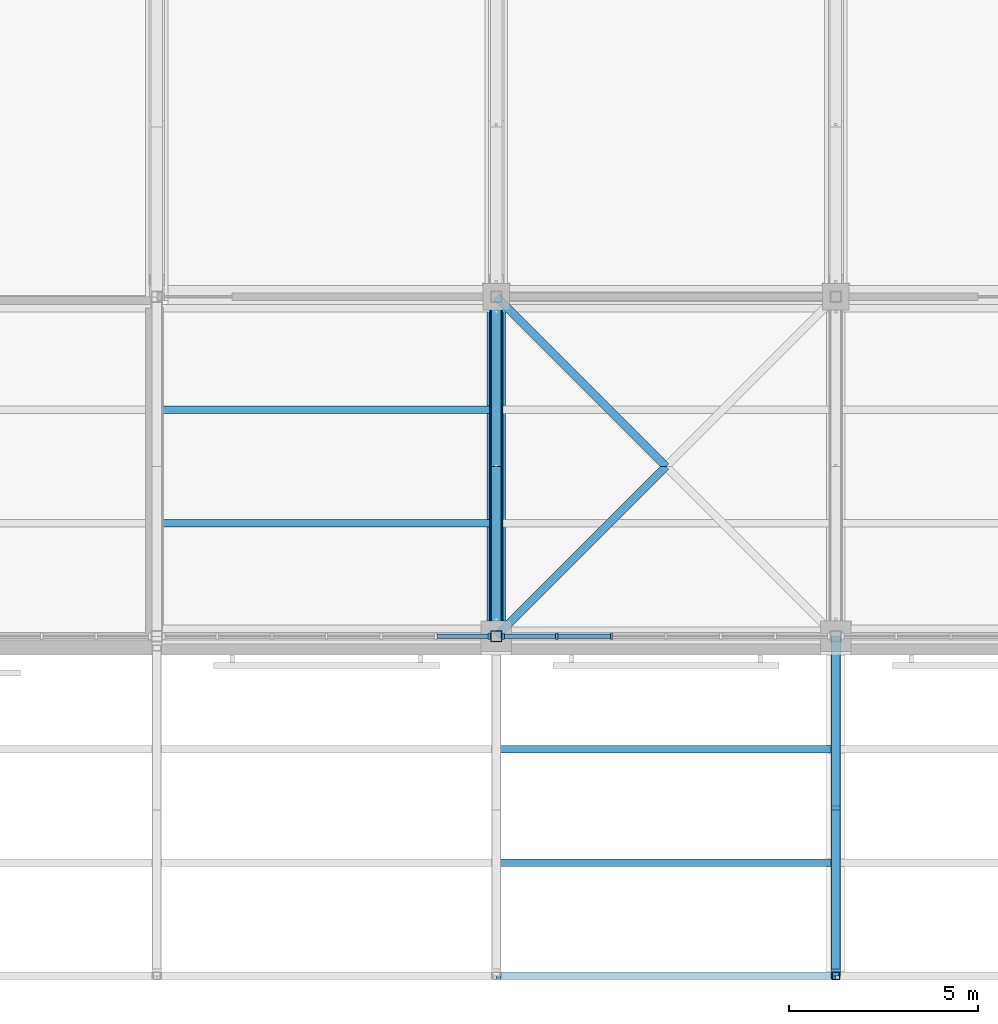
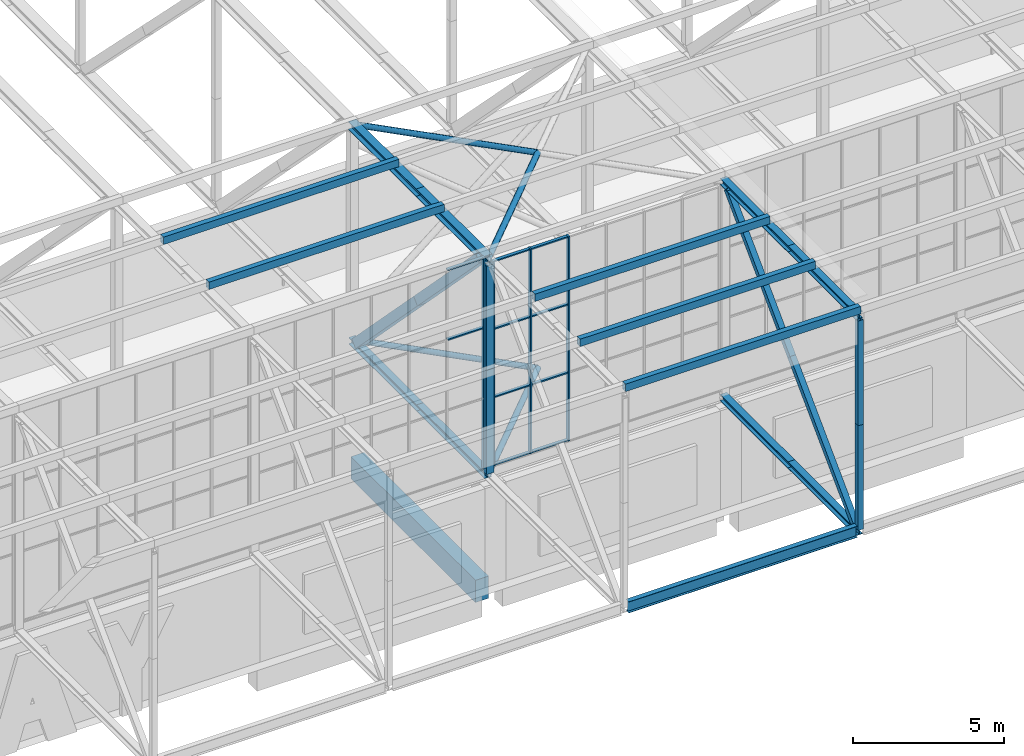
# One storey, part 33 of 646: 39 members, 2 beams, 2 elements without a shape of their own.
"""IFC4 building model written with IfcOpenShell, lengths in metres."""

from ifc_helpers import new_model, si_unit, direction, frame, origin, origin_2d, place, context, subcontext, project, spatial, rectangle, hollow_rectangle, hollow_circle, i_section, extrude, material, material_profile, profile_set, type_object, element, aggregate, save


model = new_model("IFC4")

# Units and contexts
model_context = context("Model", 3, precision=1e-05, world=origin(), true_north=direction((0.0, 1.0)))
body_context = subcontext(model_context, "Body", "Model", "MODEL_VIEW")
ifc_project = project(units=[si_unit("LENGTHUNIT", "METRE"), si_unit("AREAUNIT", "SQUARE_METRE"), si_unit("VOLUMEUNIT", "CUBIC_METRE"), si_unit("PLANEANGLEUNIT", "RADIAN"), si_unit("MASSUNIT", "GRAM", prefix="KILO")], contexts=[model_context])

# Site, building, storey
site_placement = place(None, origin())
site = spatial("IfcSite", under=ifc_project, at=site_placement, CompositionType="ELEMENT")
building_placement = place(site_placement, origin())
building = spatial("IfcBuilding", under=site, at=building_placement, Name="Silverbay Arena", CompositionType="ELEMENT")
storey_placement = place(building_placement, frame((0.0, 0.0, 33.5)))
storey = spatial("IfcBuildingStorey", under=building, at=storey_placement, Name="L05", CompositionType="ELEMENT", Elevation=33.5)

# Members
ifc_material_1 = material(Name="Steel S355", Category="steel")
ifc_material_profile_1 = material_profile(ifc_material_1, i_section(OverallWidth=0.2587890625, OverallDepth=0.2666015625, WebThickness=0.0126953125, FlangeThickness=0.0205078125, at=origin_2d()), Name="UC 254x254x107")
ifc_profile_set_1 = profile_set([ifc_material_profile_1], Name="Steel S355")
member_type_1 = type_object("IfcMemberType", Name="Main-span bottom chord UC 254x254x107", PredefinedType="CHORD", material=ifc_profile_set_1)
for number, where, z_axis, x_axis, name in (
    (1, (126.0, 18.0, 4.13330078125), (0.0, 1.0, 0.0), (-1.0, 0.0, 0.0), "ROOF TRUSS 15 bottom chord 02a"),
    (2, (126.0, 22.5, 4.13330078125), (0.0, 1.0, 0.0), (-1.0, 0.0, 0.0), "ROOF TRUSS 15 bottom chord 02b"),
    (3, (135.0, 9.0, 4.13330078125), (0.0, 1.0, 0.0), (-1.0, 0.0, 0.0), "ROOF TRUSS 16 bottom chord 01a"),
    (4, (135.0, 13.5, 4.13330078125), (0.0, 1.0, 0.0), (-1.0, 0.0, 0.0), "ROOF TRUSS 16 bottom chord 01b"),
):
    element("IfcMember", number, at=place(storey_placement, frame(where, z_axis=z_axis, x_axis=x_axis)), inside=storey, type_object=member_type_1, Name=name, PredefinedType="CHORD", context=body_context, shape_type="SweptSolid", body=[
        extrude(i_section(OverallWidth=0.2587890625, OverallDepth=0.2666015625, WebThickness=0.0126953125, FlangeThickness=0.0205078125, at=origin_2d()), origin(), (0.0, 0.0, 1.0), 4.5),
    ])
ifc_material_2 = material(Name="Steel S355", Category="steel")
ifc_material_profile_2 = material_profile(ifc_material_2, i_section(OverallWidth=0.2587890625, OverallDepth=0.2666015625, WebThickness=0.0126953125, FlangeThickness=0.0205078125, at=origin_2d()), Name="UC 254x254x107")
ifc_profile_set_2 = profile_set([ifc_material_profile_2], Name="Steel S355")
member_type_2 = type_object("IfcMemberType", Name="Main-span top chord UC 254x254x107", PredefinedType="CHORD", material=ifc_profile_set_2)
for number, where, z_axis, x_axis, name in (
    (5, (135.0, 9.0, 12.86669921875), (0.0, 1.0, 0.0), (-1.0, 0.0, 0.0), "ROOF TRUSS 16 top chord 01a"),
    (6, (135.0, 13.5, 12.86669921875), (0.0, 1.0, 0.0), (-1.0, 0.0, 0.0), "ROOF TRUSS 16 top chord 01b"),
):
    element("IfcMember", number, at=place(storey_placement, frame(where, z_axis=z_axis, x_axis=x_axis)), inside=storey, type_object=member_type_2, Name=name, PredefinedType="CHORD", context=body_context, shape_type="SweptSolid", body=[
        extrude(i_section(OverallWidth=0.2587890625, OverallDepth=0.2666015625, WebThickness=0.0126953125, FlangeThickness=0.0205078125, at=origin_2d()), origin(), (0.0, 0.0, 1.0), 4.5),
    ])
ifc_material_3 = material(Name="Steel S355", Category="steel")
ifc_material_profile_3 = material_profile(ifc_material_3, i_section(OverallWidth=0.307373046875, OverallDepth=0.314453125, WebThickness=0.011962890625, FlangeThickness=0.018798828125, at=origin_2d()), Name="UC 305x305x118")
ifc_profile_set_3 = profile_set([ifc_material_profile_3], Name="Steel S355")
member_type_3 = type_object("IfcMemberType", Name="Main-span top chord UC 305x305x118", PredefinedType="CHORD", material=ifc_profile_set_3)
for number, where, z_axis, x_axis, name in (
    (7, (126.0, 18.0, 12.8427734375), (0.0, 1.0, 0.0), (-1.0, 0.0, 0.0), "ROOF TRUSS 15 top chord 02a"),
    (8, (126.0, 22.5, 12.8427734375), (0.0, 1.0, 0.0), (-1.0, 0.0, 0.0), "ROOF TRUSS 15 top chord 02b"),
):
    element("IfcMember", number, at=place(storey_placement, frame(where, z_axis=z_axis, x_axis=x_axis)), inside=storey, type_object=member_type_3, Name=name, PredefinedType="CHORD", context=body_context, shape_type="SweptSolid", body=[
        extrude(i_section(OverallWidth=0.307373046875, OverallDepth=0.314453125, WebThickness=0.011962890625, FlangeThickness=0.018798828125, at=origin_2d()), origin(), (0.0, 0.0, 1.0), 4.5),
    ])
ifc_material_4 = material(Name="Steel S355", Category="steel")
ifc_material_profile_4 = material_profile(ifc_material_4, hollow_rectangle(XDim=0.219970703125, YDim=0.219970703125, WallThickness=0.008056640625, at=origin_2d()), Name="SHS 220x220x8")
ifc_profile_set_4 = profile_set([ifc_material_profile_4], Name="Steel S355")
member_type_4 = type_object("IfcMemberType", Name="Main-span truss diagonal SHS 220x220x8", PredefinedType="BRACE", material=ifc_profile_set_4)
member_1_placement = place(storey_placement, frame((135.0, 17.689453125, 12.7333984375), z_axis=(0.0, -0.70551102507, -0.708698944196), x_axis=(1.0, 0.0, 0.0)))
element("IfcMember", 9, at=member_1_placement, inside=storey, type_object=member_type_4, Name="ROOF TRUSS 16 diagonal 01a", PredefinedType="BRACE", context=body_context, shape_type="SweptSolid", body=[
    extrude(hollow_rectangle(XDim=0.219970703125, YDim=0.219970703125, WallThickness=0.008056640625, at=origin_2d()), origin(), (0.0, 0.0, 1.0), 5.973388671875),
])
member_2_placement = place(storey_placement, frame((135.0, 13.47509765625, 8.5), z_axis=(0.0, -0.705531551692, -0.708678509317), x_axis=(1.0, 0.0, 0.0)))
element("IfcMember", 10, at=member_2_placement, inside=storey, type_object=member_type_4, Name="ROOF TRUSS 16 diagonal 01b", PredefinedType="BRACE", context=body_context, shape_type="SweptSolid", body=[
    extrude(hollow_rectangle(XDim=0.219970703125, YDim=0.219970703125, WallThickness=0.008056640625, at=origin_2d()), origin(), (0.0, 0.0, 1.0), 5.9736328125),
])
ifc_material_5 = material(Name="Steel S355", Category="steel")
ifc_material_profile_5 = material_profile(ifc_material_5, hollow_rectangle(XDim=0.35009765625, YDim=0.35009765625, WallThickness=0.01611328125, at=origin_2d()), Name="SHS 350x350x16")
ifc_profile_set_5 = profile_set([ifc_material_profile_5], Name="Steel S355")
member_type_5 = type_object("IfcMemberType", Name="Main-span truss diagonal SHS 350x350x16", PredefinedType="BRACE", material=ifc_profile_set_5)
for number, where, z_axis, x_axis, name in (
    (11, (126.0, 18.40625, 12.685546875), (0.0, 0.697184071327, -0.716892161129), (-1.0, 0.0, 0.0), "ROOF TRUSS 15 diagonal 02a"),
    (12, (126.0, 22.5, 8.47607421875), (0.0, 0.697184071327, -0.716892161129), (-1.0, 0.0, 0.0), "ROOF TRUSS 15 diagonal 02b"),
):
    element("IfcMember", number, at=place(storey_placement, frame(where, z_axis=z_axis, x_axis=x_axis)), inside=storey, type_object=member_type_5, Name=name, PredefinedType="BRACE", context=body_context, shape_type="SweptSolid", body=[
        extrude(hollow_rectangle(XDim=0.35009765625, YDim=0.35009765625, WallThickness=0.01611328125, at=origin_2d()), origin(), (0.0, 0.0, 1.0), 5.871826171875),
    ])
ifc_material_6 = material(Name="Steel S355", Category="steel")
ifc_material_profile_6 = material_profile(ifc_material_6, hollow_rectangle(XDim=0.199951171875, YDim=0.199951171875, WallThickness=0.008056640625, at=origin_2d()), Name="SHS 200x200x8")
ifc_profile_set_6 = profile_set([ifc_material_profile_6], Name="Steel S355")
member_type_6 = type_object("IfcMemberType", Name="Main-span truss vertical SHS 200x200x8", PredefinedType="STRUT", material=ifc_profile_set_6)
for number, where, z_axis, x_axis, name in (
    (13, (135.0, 9.0, 4.2666015625), (0.0, 0.0, 1.0), (1.0, 0.0, 0.0), "ROOF TRUSS 16 vertical 01a"),
    (14, (135.0, 9.0, 8.5), (0.0, 0.0, 1.0), (1.0, 0.0, 0.0), "ROOF TRUSS 16 vertical 01b"),
):
    element("IfcMember", number, at=place(storey_placement, frame(where, z_axis=z_axis, x_axis=x_axis)), inside=storey, type_object=member_type_6, Name=name, PredefinedType="STRUT", context=body_context, shape_type="SweptSolid", body=[
        extrude(hollow_rectangle(XDim=0.199951171875, YDim=0.199951171875, WallThickness=0.008056640625, at=origin_2d()), origin(), (0.0, 0.0, 1.0), 4.2333984375),
    ])
ifc_material_7 = material(Name="Steel S355", Category="steel")
ifc_material_profile_7 = material_profile(ifc_material_7, hollow_rectangle(XDim=0.300048828125, YDim=0.300048828125, WallThickness=0.012451171875, at=origin_2d()), Name="SHS 300x300x12.5")
ifc_profile_set_7 = profile_set([ifc_material_profile_7], Name="Steel S355")
member_type_7 = type_object("IfcMemberType", Name="Main-span truss vertical SHS 300x300x12.5", PredefinedType="STRUT", material=ifc_profile_set_7)
for number, where, z_axis, x_axis, name in (
    (15, (126.0, 18.0, 4.2666015625), (0.0, 0.0, 1.0), (1.0, 0.0, 0.0), "ROOF TRUSS 15 vertical 02a"),
    (16, (126.0, 18.0, 8.47607421875), (0.0, 0.0, 1.0), (1.0, 0.0, 0.0), "ROOF TRUSS 15 vertical 02b"),
):
    element("IfcMember", number, at=place(storey_placement, frame(where, z_axis=z_axis, x_axis=x_axis)), inside=storey, type_object=member_type_7, Name=name, PredefinedType="STRUT", context=body_context, shape_type="SweptSolid", body=[
        extrude(hollow_rectangle(XDim=0.300048828125, YDim=0.300048828125, WallThickness=0.012451171875, at=origin_2d()), origin(), (0.0, 0.0, 1.0), 4.20947265625),
    ])

# Curtain wall, member
ifc_material_8 = material(Name="Aluminium framed glazing", Category="aluminium")
curtain_wall_type_1 = type_object("IfcCurtainWallType", Name="Curtain wall clerestory 8693 x 8540", PredefinedType="NOTDEFINED", material=ifc_material_8)
curtain_wall_1_placement = place(storey_placement, origin())
curtain_wall_1 = element("IfcCurtainWall", 17, at=curtain_wall_1_placement, inside=storey, type_object=curtain_wall_type_1, Name="ROOF CLERESTORY CURTAIN WALL south bay 08", PredefinedType="NOTDEFINED")
ifc_material_9 = material(Name="Aluminium", Category="aluminium")
ifc_material_profile_8 = material_profile(ifc_material_9, rectangle(XDim=0.159912109375, YDim=0.06005859375, at=origin_2d()), Name="Mullion 60 x 160")
ifc_profile_set_8 = profile_set([ifc_material_profile_8], Name="Aluminium")
member_type_8 = type_object("IfcMemberType", Name="Mullion 60 x 160", PredefinedType="MULLION", material=ifc_profile_set_8)
member_3_placement = place(storey_placement, frame((125.81640625, 18.0, 4.4599609375), z_axis=(0.0, 0.0, 1.0), x_axis=(0.0, 1.0, 0.0)))
member_3 = element("IfcMember", 18, at=member_3_placement, type_object=member_type_8, Name="CW55 mullion 7", PredefinedType="MULLION", context=body_context, shape_type="SweptSolid", body=[
    extrude(rectangle(XDim=0.159912109375, YDim=0.06005859375, at=origin_2d()), origin(), (0.0, 0.0, 1.0), 8.5400390625),
])

# Curtain wall, members
ifc_material_10 = material(Name="Aluminium framed glazing", Category="aluminium")
curtain_wall_type_2 = type_object("IfcCurtainWallType", Name="Curtain wall clerestory 8693 x 8273", PredefinedType="NOTDEFINED", material=ifc_material_10)
curtain_wall_2_placement = place(storey_placement, origin())
curtain_wall_2 = element("IfcCurtainWall", 19, at=curtain_wall_2_placement, inside=storey, type_object=curtain_wall_type_2, Name="ROOF CLERESTORY CURTAIN WALL south bay 09", PredefinedType="NOTDEFINED")
member_4_placement = place(storey_placement, frame((126.18359375, 18.0, 4.4599609375), z_axis=(0.0, 0.0, 1.0), x_axis=(0.0, 1.0, 0.0)))
member_4 = element("IfcMember", 20, at=member_4_placement, type_object=member_type_8, Name="CW56 mullion 1", PredefinedType="MULLION", context=body_context, shape_type="SweptSolid", body=[
    extrude(rectangle(XDim=0.159912109375, YDim=0.06005859375, at=origin_2d()), origin(), (0.0, 0.0, 1.0), 8.273193359375),
])
member_5_placement = place(storey_placement, frame((127.6025390625, 18.0, 4.4599609375), z_axis=(0.0, 0.0, 1.0), x_axis=(0.0, 1.0, 0.0)))
member_5 = element("IfcMember", 21, at=member_5_placement, type_object=member_type_8, Name="CW56 mullion 2", PredefinedType="MULLION", context=body_context, shape_type="SweptSolid", body=[
    extrude(rectangle(XDim=0.159912109375, YDim=0.06005859375, at=origin_2d()), origin(), (0.0, 0.0, 1.0), 8.273193359375),
])
member_6_placement = place(storey_placement, frame((129.05126953125, 18.0, 4.4599609375), z_axis=(0.0, 0.0, 1.0), x_axis=(0.0, 1.0, 0.0)))
member_6 = element("IfcMember", 22, at=member_6_placement, type_object=member_type_8, Name="CW56 mullion 3", PredefinedType="MULLION", context=body_context, shape_type="SweptSolid", body=[
    extrude(rectangle(XDim=0.159912109375, YDim=0.06005859375, at=origin_2d()), origin(), (0.0, 0.0, 1.0), 8.273193359375),
])

# Members
ifc_material_11 = material(Name="Steel S355", Category="steel")
ifc_material_profile_9 = material_profile(ifc_material_11, hollow_circle(Radius=0.109619140625, WallThickness=0.00634765625, at=origin_2d()), Name="CHS 219.1x6.3")
ifc_profile_set_9 = profile_set([ifc_material_profile_9], Name="Steel S355")
member_type_9 = type_object("IfcMemberType", Name="Plan bracing CHS 219.1x6.3", PredefinedType="BRACE", material=ifc_profile_set_9)
for number, where, z_axis, x_axis, name in (
    (23, (126.0, 18.0, 12.8427734375), (0.707106781187, 0.707106781187, 0.0), (-0.707106781187, 0.707106781187, 0.0), "ROOF BRACING top 15-16 panel 02 Aa"),
    (24, (126.0, 27.0, 12.8427734375), (0.707106781187, -0.707106781187, 0.0), (0.707106781187, 0.707106781187, 0.0), "ROOF BRACING top 15-16 panel 02 Ba"),
    (25, (126.0, 18.0, 4.13330078125), (0.707106781187, 0.707106781187, 0.0), (-0.707106781187, 0.707106781187, 0.0), "ROOF BRACING bottom 15-16 panel 02 Aa"),
    (26, (126.0, 27.0, 4.13330078125), (0.707106781187, -0.707106781187, 0.0), (0.707106781187, 0.707106781187, 0.0), "ROOF BRACING bottom 15-16 panel 02 Ba"),
):
    element("IfcMember", number, at=place(storey_placement, frame(where, z_axis=z_axis, x_axis=x_axis)), inside=storey, type_object=member_type_9, Name=name, PredefinedType="BRACE", context=body_context, shape_type="SweptSolid", body=[
        extrude(hollow_circle(Radius=0.109619140625, WallThickness=0.00634765625, at=origin_2d()), origin(), (0.0, 0.0, 1.0), 6.364013671875),
    ])
ifc_material_12 = material(Name="Steel S355", Category="steel")
ifc_material_profile_10 = material_profile(ifc_material_12, hollow_rectangle(XDim=0.199951171875, YDim=0.300048828125, WallThickness=0.00634765625, at=origin_2d()), Name="RHS 300x200x6.3")
ifc_profile_set_10 = profile_set([ifc_material_profile_10], Name="Steel S355")
member_type_10 = type_object("IfcMemberType", Name="Purlin RHS 300x200x6.3", PredefinedType="PURLIN", material=ifc_profile_set_10)
member_7_placement = place(storey_placement, frame((117.0, 24.0, 13.14990234375), z_axis=(1.0, 0.0, 0.0), x_axis=(0.0, 1.0, 0.0)))
element("IfcMember", 27, at=member_7_placement, inside=storey, type_object=member_type_10, Name="ROOF PURLIN 14-15 line 06", PredefinedType="PURLIN", context=body_context, shape_type="SweptSolid", body=[
    extrude(hollow_rectangle(XDim=0.199951171875, YDim=0.300048828125, WallThickness=0.00634765625, at=origin_2d()), origin(), (0.0, 0.0, 1.0), 9.0),
])
ifc_material_13 = material(Name="Steel S355", Category="steel")
ifc_material_profile_11 = material_profile(ifc_material_13, hollow_rectangle(XDim=0.199951171875, YDim=0.300048828125, WallThickness=0.008056640625, at=origin_2d()), Name="RHS 300x200x8")
ifc_profile_set_11 = profile_set([ifc_material_profile_11], Name="Steel S355")
member_type_11 = type_object("IfcMemberType", Name="Purlin RHS 300x200x8", PredefinedType="PURLIN", material=ifc_profile_set_11)
for number, where, z_axis, x_axis, name in (
    (28, (117.0, 21.0, 13.14990234375), (1.0, 0.0, 0.0), (0.0, 1.0, 0.0), "ROOF PURLIN 14-15 line 05"),
    (29, (126.0, 9.0, 13.14990234375), (1.0, 0.0, 0.0), (0.0, 1.0, 0.0), "ROOF PURLIN 15-16 line 01"),
    (30, (126.0, 12.0, 13.14990234375), (1.0, 0.0, 0.0), (0.0, 1.0, 0.0), "ROOF PURLIN 15-16 line 02"),
    (31, (126.0, 15.0, 13.14990234375), (1.0, 0.0, 0.0), (0.0, 1.0, 0.0), "ROOF PURLIN 15-16 line 03"),
):
    element("IfcMember", number, at=place(storey_placement, frame(where, z_axis=z_axis, x_axis=x_axis)), inside=storey, type_object=member_type_11, Name=name, PredefinedType="PURLIN", context=body_context, shape_type="SweptSolid", body=[
        extrude(hollow_rectangle(XDim=0.199951171875, YDim=0.300048828125, WallThickness=0.008056640625, at=origin_2d()), origin(), (0.0, 0.0, 1.0), 9.0),
    ])

# Beams
ifc_material_14 = material(Name="Concrete Grade C45", Category="concrete")
ifc_material_profile_12 = material_profile(ifc_material_14, rectangle(XDim=0.5, YDim=0.89990234375, at=origin_2d()), Name="RC 500x900")
ifc_profile_set_12 = profile_set([ifc_material_profile_12], Name="Concrete Grade C45")
beam_type_1 = type_object("IfcBeamType", Name="RC beam 500x900", PredefinedType="BEAM", material=ifc_profile_set_12)
beam_1_placement = place(storey_placement, frame((126.0, 18.39990234375, -0.75), z_axis=(0.0, 1.0, 0.0), x_axis=(-1.0, 0.0, 0.0)))
element("IfcBeam", 32, at=beam_1_placement, inside=storey, type_object=beam_type_1, Name="Floor beam L05 109", PredefinedType="BEAM", context=body_context, shape_type="SweptSolid", body=[
    extrude(rectangle(XDim=0.5, YDim=0.89990234375, at=origin_2d()), origin(), (0.0, 0.0, 1.0), 8.25),
])
ifc_material_15 = material(Name="Steel S355", Category="steel")
ifc_material_profile_13 = material_profile(ifc_material_15, i_section(OverallWidth=0.18994140625, OverallDepth=0.453369140625, WebThickness=0.008544921875, FlangeThickness=0.0126953125, at=origin_2d()), Name="UB 457x191x67")
ifc_profile_set_13 = profile_set([ifc_material_profile_13], Name="Steel S355")
beam_type_2 = type_object("IfcBeamType", Name="Ring beam UB 457x191x67", PredefinedType="BEAM", material=ifc_profile_set_13)
beam_2_placement = place(storey_placement, frame((126.12939453125, 9.0, 4.226806640625), z_axis=(1.0, 0.0, 0.0), x_axis=(0.0, 1.0, 0.0)))
element("IfcBeam", 33, at=beam_2_placement, inside=storey, type_object=beam_type_2, Name="RING BEAM south edge 15-16", PredefinedType="BEAM", context=body_context, shape_type="SweptSolid", body=[
    extrude(i_section(OverallWidth=0.18994140625, OverallDepth=0.453369140625, WebThickness=0.008544921875, FlangeThickness=0.0126953125, at=origin_2d()), origin(), (0.0, 0.0, 1.0), 8.7412109375),
])

# Member
ifc_material_16 = material(Name="Aluminium", Category="aluminium")
ifc_material_profile_14 = material_profile(ifc_material_16, rectangle(XDim=0.1201171875, YDim=0.050048828125, at=origin_2d()), Name="Transom 50 x 120")
ifc_profile_set_14 = profile_set([ifc_material_profile_14], Name="Aluminium")
member_type_12 = type_object("IfcMemberType", Name="Transom 50 x 120", PredefinedType="USERDEFINED", material=ifc_profile_set_14)
member_8_placement = place(storey_placement, frame((124.427490234375, 18.0, 10.1533203125), z_axis=(1.0, 0.0, 0.0), x_axis=(0.0, 1.0, 0.0)))
member_8 = element("IfcMember", 34, at=member_8_placement, type_object=member_type_12, Name="CW55 transom 6.3", ObjectType="TRANSOM", PredefinedType="USERDEFINED", context=body_context, shape_type="SweptSolid", body=[
    extrude(rectangle(XDim=0.1201171875, YDim=0.050048828125, at=origin_2d()), origin(), (0.0, 0.0, 1.0), 1.35888671875),
])

member_9_placement = place(storey_placement, frame((124.427490234375, 18.0, 12.97509765625), z_axis=(1.0, 0.0, 0.0), x_axis=(0.0, 1.0, 0.0)))
member_9 = element("IfcMember", 35, at=member_9_placement, type_object=member_type_12, Name="CW55 transom 6.4", ObjectType="TRANSOM", PredefinedType="USERDEFINED", context=body_context, shape_type="SweptSolid", body=[
    extrude(rectangle(XDim=0.1201171875, YDim=0.050048828125, at=origin_2d()), origin(), (0.0, 0.0, 1.0), 1.35888671875),
])

aggregate(curtain_wall_1, [member_3, member_8, member_9])

member_10_placement = place(storey_placement, frame((126.213623046875, 18.0, 4.485107421875), z_axis=(1.0, 0.0, 0.0), x_axis=(0.0, 1.0, 0.0)))
member_10 = element("IfcMember", 36, at=member_10_placement, type_object=member_type_12, Name="CW56 transom 1.1", ObjectType="TRANSOM", PredefinedType="USERDEFINED", context=body_context, shape_type="SweptSolid", body=[
    extrude(rectangle(XDim=0.1201171875, YDim=0.050048828125, at=origin_2d()), origin(), (0.0, 0.0, 1.0), 1.35888671875),
])

member_11_placement = place(storey_placement, frame((126.213623046875, 18.0, 7.2177734375), z_axis=(1.0, 0.0, 0.0), x_axis=(0.0, 1.0, 0.0)))
member_11 = element("IfcMember", 37, at=member_11_placement, type_object=member_type_12, Name="CW56 transom 1.2", ObjectType="TRANSOM", PredefinedType="USERDEFINED", context=body_context, shape_type="SweptSolid", body=[
    extrude(rectangle(XDim=0.1201171875, YDim=0.050048828125, at=origin_2d()), origin(), (0.0, 0.0, 1.0), 1.35888671875),
])

member_12_placement = place(storey_placement, frame((126.213623046875, 18.0, 9.9755859375), z_axis=(1.0, 0.0, 0.0), x_axis=(0.0, 1.0, 0.0)))
member_12 = element("IfcMember", 38, at=member_12_placement, type_object=member_type_12, Name="CW56 transom 1.3", ObjectType="TRANSOM", PredefinedType="USERDEFINED", context=body_context, shape_type="SweptSolid", body=[
    extrude(rectangle(XDim=0.1201171875, YDim=0.050048828125, at=origin_2d()), origin(), (0.0, 0.0, 1.0), 1.35888671875),
])

member_13_placement = place(storey_placement, frame((126.213623046875, 18.0, 12.708251953125), z_axis=(1.0, 0.0, 0.0), x_axis=(0.0, 1.0, 0.0)))
member_13 = element("IfcMember", 39, at=member_13_placement, type_object=member_type_12, Name="CW56 transom 1.4", ObjectType="TRANSOM", PredefinedType="USERDEFINED", context=body_context, shape_type="SweptSolid", body=[
    extrude(rectangle(XDim=0.1201171875, YDim=0.050048828125, at=origin_2d()), origin(), (0.0, 0.0, 1.0), 1.35888671875),
])

member_14_placement = place(storey_placement, frame((127.632568359375, 18.0, 4.485107421875), z_axis=(1.0, 0.0, 0.0), x_axis=(0.0, 1.0, 0.0)))
member_14 = element("IfcMember", 40, at=member_14_placement, type_object=member_type_12, Name="CW56 transom 2.1", ObjectType="TRANSOM", PredefinedType="USERDEFINED", context=body_context, shape_type="SweptSolid", body=[
    extrude(rectangle(XDim=0.1201171875, YDim=0.050048828125, at=origin_2d()), origin(), (0.0, 0.0, 1.0), 1.388671875),
])

member_15_placement = place(storey_placement, frame((127.632568359375, 18.0, 7.2177734375), z_axis=(1.0, 0.0, 0.0), x_axis=(0.0, 1.0, 0.0)))
member_15 = element("IfcMember", 41, at=member_15_placement, type_object=member_type_12, Name="CW56 transom 2.2", ObjectType="TRANSOM", PredefinedType="USERDEFINED", context=body_context, shape_type="SweptSolid", body=[
    extrude(rectangle(XDim=0.1201171875, YDim=0.050048828125, at=origin_2d()), origin(), (0.0, 0.0, 1.0), 1.388671875),
])

member_16_placement = place(storey_placement, frame((127.632568359375, 18.0, 9.9755859375), z_axis=(1.0, 0.0, 0.0), x_axis=(0.0, 1.0, 0.0)))
member_16 = element("IfcMember", 42, at=member_16_placement, type_object=member_type_12, Name="CW56 transom 2.3", ObjectType="TRANSOM", PredefinedType="USERDEFINED", context=body_context, shape_type="SweptSolid", body=[
    extrude(rectangle(XDim=0.1201171875, YDim=0.050048828125, at=origin_2d()), origin(), (0.0, 0.0, 1.0), 1.388671875),
])

member_17_placement = place(storey_placement, frame((127.632568359375, 18.0, 12.708251953125), z_axis=(1.0, 0.0, 0.0), x_axis=(0.0, 1.0, 0.0)))
member_17 = element("IfcMember", 43, at=member_17_placement, type_object=member_type_12, Name="CW56 transom 2.4", ObjectType="TRANSOM", PredefinedType="USERDEFINED", context=body_context, shape_type="SweptSolid", body=[
    extrude(rectangle(XDim=0.1201171875, YDim=0.050048828125, at=origin_2d()), origin(), (0.0, 0.0, 1.0), 1.388671875),
])

aggregate(curtain_wall_2, [member_4, member_5, member_6, member_10, member_11, member_12, member_13, member_14, member_15, member_16, member_17])

save(model, "model.ifc")
